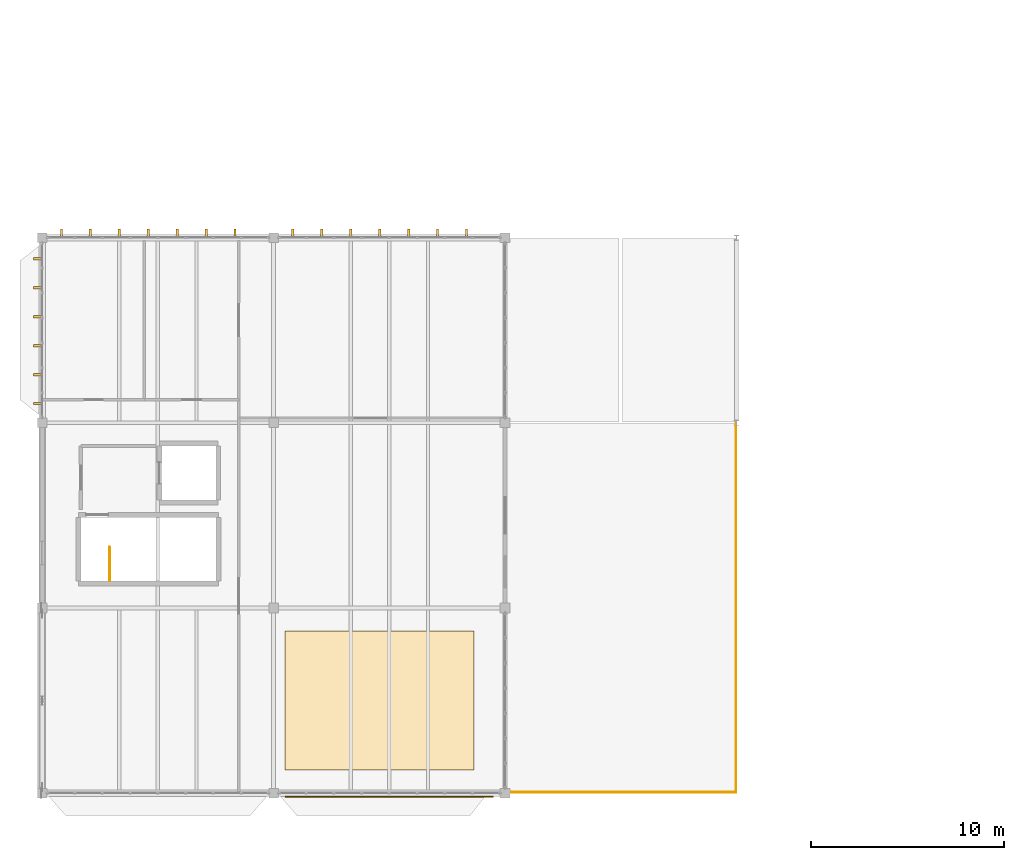
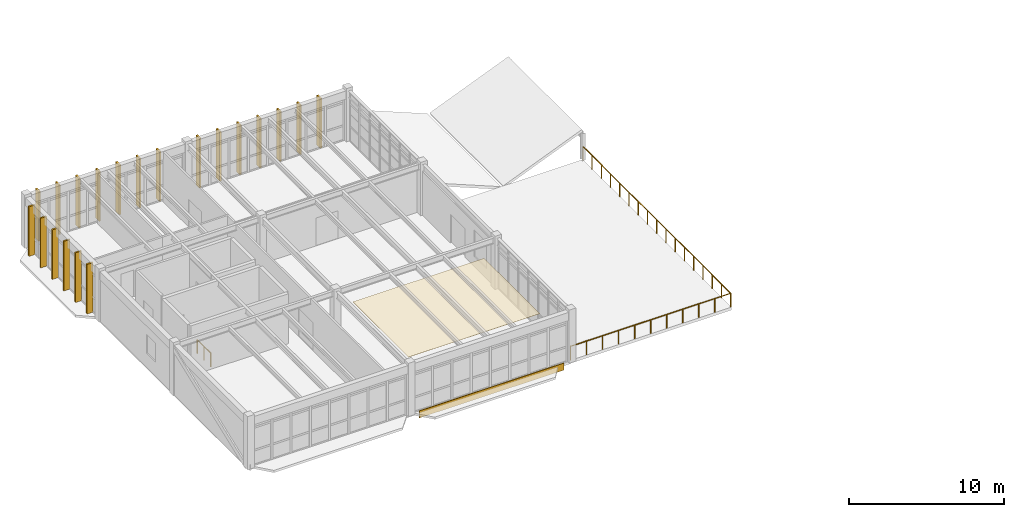
# One storey, part 76 of 83: 20 shading devices, 3 railings, 2 coverings.
"""IFC4 building model written with IfcOpenShell, lengths in metres."""

from ifc_helpers import new_model, si_unit, direction, frame, origin, origin_2d, place, context, subcontext, project, spatial, polyline, rectangle, circle, outline, extrude, material, layer, layer_set, type_object, element, save


model = new_model("IFC4")

# Units and contexts
model_context = context("Model", 3, precision=1e-05, world=origin(), true_north=direction((0.0, 1.0)))
body_context = subcontext(model_context, "Body", "Model", "MODEL_VIEW")
ifc_project = project(units=[si_unit("LENGTHUNIT", "METRE"), si_unit("AREAUNIT", "SQUARE_METRE"), si_unit("VOLUMEUNIT", "CUBIC_METRE"), si_unit("PLANEANGLEUNIT", "RADIAN"), si_unit("MASSUNIT", "GRAM", prefix="KILO")], contexts=[model_context])

# Site, building, storey
site_placement = place(None, origin())
site = spatial("IfcSite", under=ifc_project, at=site_placement, CompositionType="ELEMENT")
building_placement = place(site_placement, origin())
building = spatial("IfcBuilding", under=site, at=building_placement, Name="Pandanus Reach Market Hall", CompositionType="ELEMENT")
storey_placement = place(building_placement, frame((0.0, 0.0, 10.199951171875)))
storey = spatial("IfcBuildingStorey", under=building, at=storey_placement, Name="L02", CompositionType="ELEMENT", Elevation=10.199951171875)

# Railings
ifc_material_1 = material(Name="Galvanised steel Grade 350 (350 MPa)", Category="steel")
railing_type_1 = type_object("IfcRailingType", Name="BL-EXT-110", PredefinedType="BALUSTRADE", material=ifc_material_1)
railing_1_placement = place(storey_placement, frame((24.026611328125, 0.04248046875, 0.0)))
element("IfcRailing", 1, at=railing_1_placement, inside=storey, type_object=railing_type_1, Name="Terrace balustrade L02.11", PredefinedType="BALUSTRADE", context=body_context, shape_type="SweptSolid", body=[
    extrude(circle(Radius=0.02392578125, at=origin_2d()), frame((0.0, 0.0, 1.076171875), z_axis=(1.0, 0.0, 0.0), x_axis=(0.0, 1.0, 0.0)), (0.0, 0.0, 1.0), 11.94677734375),
    extrude(circle(Radius=0.02099609375, at=origin_2d()), origin(), (0.0, 0.0, 1.0), 1.052001953125),
    extrude(circle(Radius=0.02099609375, at=origin_2d()), frame((1.194580078125, 0.0, 0.0)), (0.0, 0.0, 1.0), 1.052001953125),
    extrude(circle(Radius=0.02099609375, at=origin_2d()), frame((2.389404296875, 0.0, 0.0)), (0.0, 0.0, 1.0), 1.052001953125),
    extrude(circle(Radius=0.02099609375, at=origin_2d()), frame((3.583984375, 0.0, 0.0)), (0.0, 0.0, 1.0), 1.052001953125),
    extrude(circle(Radius=0.02099609375, at=origin_2d()), frame((4.77880859375, 0.0, 0.0)), (0.0, 0.0, 1.0), 1.052001953125),
    extrude(circle(Radius=0.02099609375, at=origin_2d()), frame((5.973388671875, 0.0, 0.0)), (0.0, 0.0, 1.0), 1.052001953125),
    extrude(circle(Radius=0.02099609375, at=origin_2d()), frame((7.16796875, 0.0, 0.0)), (0.0, 0.0, 1.0), 1.052001953125),
    extrude(circle(Radius=0.02099609375, at=origin_2d()), frame((8.36279296875, 0.0, 0.0)), (0.0, 0.0, 1.0), 1.052001953125),
    extrude(circle(Radius=0.02099609375, at=origin_2d()), frame((9.557373046875, 0.0, 0.0)), (0.0, 0.0, 1.0), 1.052001953125),
    extrude(circle(Radius=0.02099609375, at=origin_2d()), frame((10.752197265625, 0.0, 0.0)), (0.0, 0.0, 1.0), 1.052001953125),
    extrude(circle(Radius=0.02099609375, at=origin_2d()), frame((11.94677734375, 0.0, 0.0)), (0.0, 0.0, 1.0), 1.052001953125),
])
railing_2_placement = place(storey_placement, frame((35.973388671875, 0.04248046875, 0.0)))
element("IfcRailing", 2, at=railing_2_placement, inside=storey, type_object=railing_type_1, Name="Terrace balustrade L02.12", PredefinedType="BALUSTRADE", context=body_context, shape_type="SweptSolid", body=[
    extrude(circle(Radius=0.02392578125, at=origin_2d()), frame((0.0, 0.0, 1.076171875), z_axis=(0.0, 1.0, 0.0), x_axis=(-1.0, 0.0, 0.0)), (0.0, 0.0, 1.0), 19.115234375),
    extrude(circle(Radius=0.02099609375, at=origin_2d()), origin(), (0.0, 0.0, 1.0), 1.052001953125),
    extrude(circle(Radius=0.02099609375, at=origin_2d()), frame((0.0, 1.19482421875, 0.0)), (0.0, 0.0, 1.0), 1.052001953125),
    extrude(circle(Radius=0.02099609375, at=origin_2d()), frame((0.0, 2.389404296875, 0.0)), (0.0, 0.0, 1.0), 1.052001953125),
    extrude(circle(Radius=0.02099609375, at=origin_2d()), frame((0.0, 3.583984375, 0.0)), (0.0, 0.0, 1.0), 1.052001953125),
    extrude(circle(Radius=0.02099609375, at=origin_2d()), frame((0.0, 4.77880859375, 0.0)), (0.0, 0.0, 1.0), 1.052001953125),
    extrude(circle(Radius=0.02099609375, at=origin_2d()), frame((0.0, 5.9736328125, 0.0)), (0.0, 0.0, 1.0), 1.052001953125),
    extrude(circle(Radius=0.02099609375, at=origin_2d()), frame((0.0, 7.168212890625, 0.0)), (0.0, 0.0, 1.0), 1.052001953125),
    extrude(circle(Radius=0.02099609375, at=origin_2d()), frame((0.0, 8.36279296875, 0.0)), (0.0, 0.0, 1.0), 1.052001953125),
    extrude(circle(Radius=0.02099609375, at=origin_2d()), frame((0.0, 9.5576171875, 0.0)), (0.0, 0.0, 1.0), 1.052001953125),
    extrude(circle(Radius=0.02099609375, at=origin_2d()), frame((0.0, 10.75244140625, 0.0)), (0.0, 0.0, 1.0), 1.052001953125),
    extrude(circle(Radius=0.02099609375, at=origin_2d()), frame((0.0, 11.947021484375, 0.0)), (0.0, 0.0, 1.0), 1.052001953125),
    extrude(circle(Radius=0.02099609375, at=origin_2d()), frame((0.0, 13.1416015625, 0.0)), (0.0, 0.0, 1.0), 1.052001953125),
    extrude(circle(Radius=0.02099609375, at=origin_2d()), frame((0.0, 14.33642578125, 0.0)), (0.0, 0.0, 1.0), 1.052001953125),
    extrude(circle(Radius=0.02099609375, at=origin_2d()), frame((0.0, 15.53125, 0.0)), (0.0, 0.0, 1.0), 1.052001953125),
    extrude(circle(Radius=0.02099609375, at=origin_2d()), frame((0.0, 16.725830078125, 0.0)), (0.0, 0.0, 1.0), 1.052001953125),
    extrude(circle(Radius=0.02099609375, at=origin_2d()), frame((0.0, 17.92041015625, 0.0)), (0.0, 0.0, 1.0), 1.052001953125),
    extrude(circle(Radius=0.02099609375, at=origin_2d()), frame((0.0, 19.115234375, 0.0)), (0.0, 0.0, 1.0), 1.052001953125),
])

# Coverings
ifc_material_2 = material(Name="Precast concrete S50 (50 MPa)", Category="concrete")
ifc_layer_1 = layer(ifc_material_2, 0.06005859375, Name="CLD-S50-60")
ifc_layer_set_1 = layer_set([ifc_layer_1], Name="Precast concrete S50 (50 MPa)")
covering_type_1 = type_object("IfcCoveringType", Name="CLD-S50-60", PredefinedType="CLADDING", material=ifc_layer_set_1)
covering_1_placement = place(storey_placement, frame((18.0, -0.179931640625, -0.4248046875), z_axis=(0.0, 0.0, 1.0), x_axis=(1.0, 0.0, 0.0)))
element("IfcCovering", 3, at=covering_1_placement, inside=storey, type_object=covering_type_1, Name="Precast spandrel cladding panel 8", PredefinedType="CLADDING", context=body_context, shape_type="SweptSolid", body=[
    extrude(rectangle(XDim=10.800048828125, YDim=0.06005859375, at=origin_2d()), origin(), (0.0, 0.0, 1.0), 0.550048828125),
])
ifc_material_3 = material(Name="Perforated acoustic gypsum board", Category="gypsum")
ifc_layer_2 = layer(ifc_material_3, 0.02001953125, Name="CLG-ACT-20")
ifc_layer_set_2 = layer_set([ifc_layer_2], Name="Perforated acoustic gypsum board")
covering_type_2 = type_object("IfcCoveringType", Name="CLG-ACT-20", PredefinedType="CEILING", material=ifc_layer_set_2)
covering_2_placement = place(storey_placement, frame((0.0, 0.0, 3.50244140625)))
element("IfcCovering", 4, at=covering_2_placement, inside=storey, type_object=covering_type_2, Name="Perforated acoustic ceiling L02.5", PredefinedType="CEILING", context=body_context, shape_type="SweptSolid", body=[
    extrude(outline(polyline([(12.60009765625, 1.199951171875), (22.39990234375, 1.199951171875), (22.39990234375, 8.39990234375), (12.60009765625, 8.39990234375), (12.60009765625, 1.199951171875)])), origin(), (0.0, 0.0, 1.0), 0.02001953125),
])

# Shading devices
shading_device_type = type_object("IfcShadingDeviceType", Name="FN-S50-450", PredefinedType="JALOUSIE", material=ifc_material_2)
for number, where, z_axis, x_axis, name in (
    (5, (1.0, 29.02001953125, -0.010009765625), (0.0, 0.0, 1.0), (0.0, 1.0, 0.0), "Precast brise-soleil fin 241"),
    (6, (2.5, 29.02001953125, -0.010009765625), (0.0, 0.0, 1.0), (0.0, 1.0, 0.0), "Precast brise-soleil fin 242"),
    (7, (4.0, 29.02001953125, -0.010009765625), (0.0, 0.0, 1.0), (0.0, 1.0, 0.0), "Precast brise-soleil fin 243"),
    (8, (5.5, 29.02001953125, -0.010009765625), (0.0, 0.0, 1.0), (0.0, 1.0, 0.0), "Precast brise-soleil fin 244"),
    (9, (7.0, 29.02001953125, -0.010009765625), (0.0, 0.0, 1.0), (0.0, 1.0, 0.0), "Precast brise-soleil fin 245"),
    (10, (8.5, 29.02001953125, -0.010009765625), (0.0, 0.0, 1.0), (0.0, 1.0, 0.0), "Precast brise-soleil fin 246"),
    (11, (10.0, 29.02001953125, -0.010009765625), (0.0, 0.0, 1.0), (0.0, 1.0, 0.0), "Precast brise-soleil fin 247"),
    (12, (13.0, 29.02001953125, -0.010009765625), (0.0, 0.0, 1.0), (0.0, 1.0, 0.0), "Precast brise-soleil fin 248"),
    (13, (14.5, 29.02001953125, -0.010009765625), (0.0, 0.0, 1.0), (0.0, 1.0, 0.0), "Precast brise-soleil fin 249"),
    (14, (16.0, 29.02001953125, -0.010009765625), (0.0, 0.0, 1.0), (0.0, 1.0, 0.0), "Precast brise-soleil fin 250"),
    (15, (17.5, 29.02001953125, -0.010009765625), (0.0, 0.0, 1.0), (0.0, 1.0, 0.0), "Precast brise-soleil fin 251"),
    (16, (19.0, 29.02001953125, -0.010009765625), (0.0, 0.0, 1.0), (0.0, 1.0, 0.0), "Precast brise-soleil fin 252"),
    (17, (20.5, 29.02001953125, -0.010009765625), (0.0, 0.0, 1.0), (0.0, 1.0, 0.0), "Precast brise-soleil fin 253"),
    (18, (22.0, 29.02001953125, -0.010009765625), (0.0, 0.0, 1.0), (0.0, 1.0, 0.0), "Precast brise-soleil fin 254"),
    (19, (-0.219970703125, 20.199951171875, -0.010009765625), (0.0, 0.0, 1.0), (-1.0, 0.0, 0.0), "Precast brise-soleil fin 255"),
    (20, (-0.219970703125, 21.699951171875, -0.010009765625), (0.0, 0.0, 1.0), (-1.0, 0.0, 0.0), "Precast brise-soleil fin 256"),
    (21, (-0.219970703125, 23.199951171875, -0.010009765625), (0.0, 0.0, 1.0), (-1.0, 0.0, 0.0), "Precast brise-soleil fin 257"),
    (22, (-0.219970703125, 24.699951171875, -0.010009765625), (0.0, 0.0, 1.0), (-1.0, 0.0, 0.0), "Precast brise-soleil fin 258"),
    (23, (-0.219970703125, 26.199951171875, -0.010009765625), (0.0, 0.0, 1.0), (-1.0, 0.0, 0.0), "Precast brise-soleil fin 259"),
    (24, (-0.219970703125, 27.699951171875, -0.010009765625), (0.0, 0.0, 1.0), (-1.0, 0.0, 0.0), "Precast brise-soleil fin 260"),
):
    element("IfcShadingDevice", number, at=place(storey_placement, frame(where, z_axis=z_axis, x_axis=x_axis)), inside=storey, type_object=shading_device_type, Name=name, PredefinedType="JALOUSIE", context=body_context, shape_type="SweptSolid", body=[
        extrude(rectangle(XDim=0.449951171875, YDim=0.1201171875, at=origin_2d()), origin(), (0.0, 0.0, 1.0), 3.919921875),
    ])

# Railing
railing_type_2 = type_object("IfcRailingType", Name="GR-INT-110", PredefinedType="GUARDRAIL", material=ifc_material_1)
railing_3_placement = place(storey_placement, frame((3.5, 11.0, 0.0)))
element("IfcRailing", 25, at=railing_3_placement, inside=storey, type_object=railing_type_2, Name="Stair well top guard ST-04.106", PredefinedType="GUARDRAIL", context=body_context, shape_type="SweptSolid", body=[
    extrude(circle(Radius=0.02392578125, at=origin_2d()), frame((0.0, 0.0, 1.076171875), z_axis=(0.0, 1.0, 0.0), x_axis=(-1.0, 0.0, 0.0)), (0.0, 0.0, 1.0), 1.75),
    extrude(circle(Radius=0.02099609375, at=origin_2d()), origin(), (0.0, 0.0, 1.0), 1.052001953125),
    extrude(circle(Radius=0.02099609375, at=origin_2d()), frame((0.0, 0.875, 0.0)), (0.0, 0.0, 1.0), 1.052001953125),
    extrude(circle(Radius=0.02099609375, at=origin_2d()), frame((0.0, 1.75, 0.0)), (0.0, 0.0, 1.0), 1.052001953125),
])

save(model, "model.ifc")
